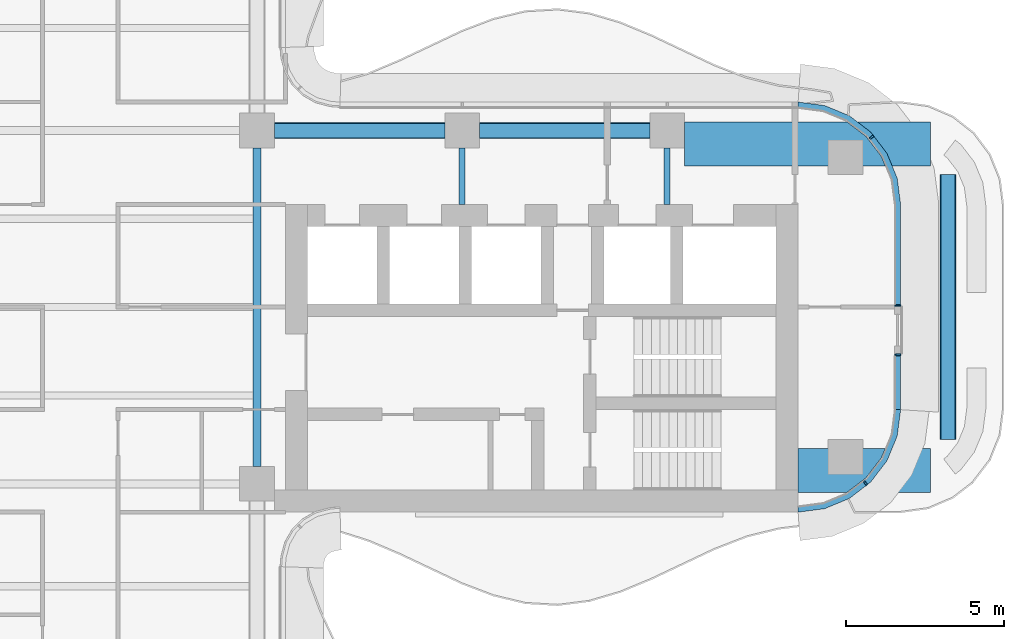
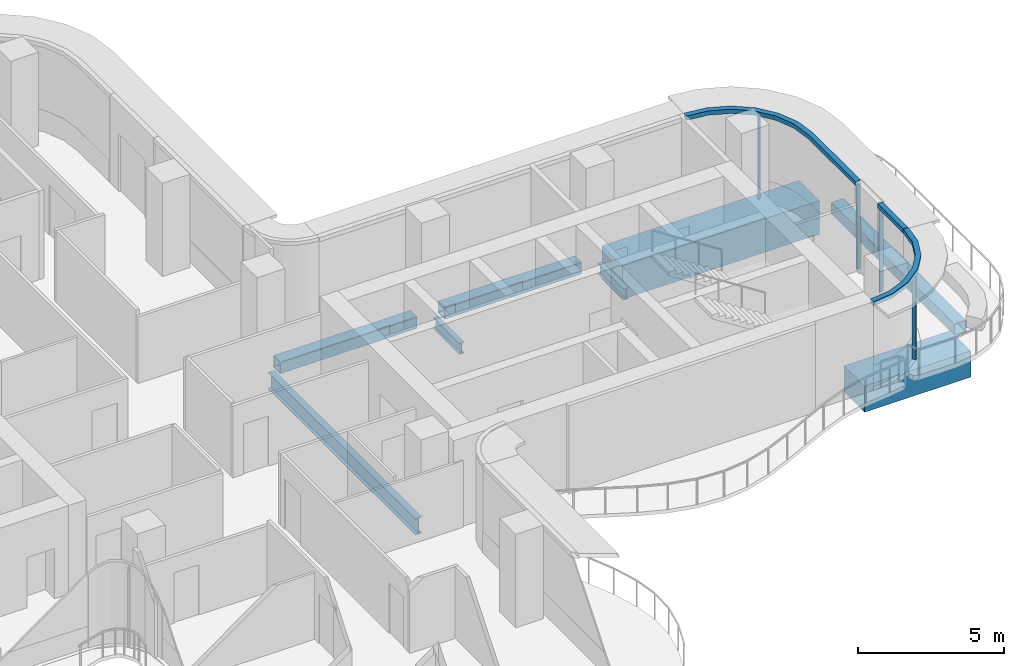
# One storey, part 6 of 17: 8 beams, 7 members, 3 elements without a shape of their own.
"""IFC4 building model written with IfcOpenShell, lengths in metres."""

from ifc_helpers import new_model, si_unit, direction, frame, origin, origin_2d, place, context, subcontext, project, spatial, polyline, rectangle, hollow_rectangle, i_section, outline, extrude, source, transform, mapped, material, layer, layer_set, material_profile, profile_set, type_object, element, aggregate, save


model = new_model("IFC4")

# Units and contexts
model_context = context("Model", 3, precision=1e-05, world=origin(), true_north=direction((0.0, 1.0)))
body_context = subcontext(model_context, "Body", "Model", "MODEL_VIEW")
ifc_project = project(units=[si_unit("LENGTHUNIT", "METRE"), si_unit("AREAUNIT", "SQUARE_METRE"), si_unit("VOLUMEUNIT", "CUBIC_METRE"), si_unit("PLANEANGLEUNIT", "RADIAN"), si_unit("MASSUNIT", "GRAM", prefix="KILO")], contexts=[model_context])

# Site, building, storey
site_placement = place(None, origin())
site = spatial("IfcSite", under=ifc_project, at=site_placement, CompositionType="ELEMENT")
building_placement = place(site_placement, origin())
building = spatial("IfcBuilding", under=site, at=building_placement, Name="Trellis Farm Tower", CompositionType="ELEMENT")
storey_placement = place(building_placement, frame((0.0, 0.0, 220.699951171875)))
storey = spatial("IfcBuildingStorey", under=building, at=storey_placement, Name="L48", CompositionType="ELEMENT", Elevation=220.699951171875)

# Curtain wall, member
ifc_material_1 = material(Name="Aluminium and glass curtain wall", Category="aluminium")
ifc_layer_1 = layer(ifc_material_1, 0.18994140625)
ifc_layer_set_1 = layer_set([ifc_layer_1], Name="RIBBON CURTAIN WALL CW1")
curtain_wall_type = type_object("IfcCurtainWallType", Name="RIBBON CURTAIN WALL CW1", PredefinedType="NOTDEFINED", material=ifc_layer_set_1)
placement_1 = place(storey_placement, origin())
curtain_wall_1 = element("IfcCurtainWall", 1, at=placement_1, inside=storey, type_object=curtain_wall_type, Name="CW1 006", PredefinedType="NOTDEFINED")
ifc_material_2 = material(Name="Aluminium extrusion 6063-T6", Category="aluminium")
ifc_layer_2 = layer(ifc_material_2, 0.199951171875)
ifc_layer_set_2 = layer_set([ifc_layer_2], Name="Aluminium extrusion 6063-T6")
member_type_1 = type_object("IfcMemberType", Name="CW1 TRANSOM 200x180", PredefinedType="USERDEFINED", material=ifc_layer_set_2)
placement_2 = place(storey_placement, frame((0.0, 0.0, 3.52001953125)))
member_1 = element("IfcMember", 2, at=placement_2, type_object=member_type_1, Name="TR1 006", ObjectType="TRANSOM", PredefinedType="USERDEFINED", context=body_context, shape_type="SweptSolid", body=[
    extrude(outline(polyline([(26.0, -3.25), (26.0, -1.47998046875), (25.800048828125, -1.47998046875), (25.800048828125, -3.23681640625), (26.0, -3.25)])), origin(), (0.0, 0.0, 1.0), 0.179931640625),
])

curtain_wall_2 = element("IfcCurtainWall", 3, at=placement_1, inside=storey, type_object=curtain_wall_type, Name="CW1 007", PredefinedType="NOTDEFINED")
member_2 = element("IfcMember", 4, at=placement_2, type_object=member_type_1, Name="TR1 007", ObjectType="TRANSOM", PredefinedType="USERDEFINED", context=body_context, shape_type="SweptSolid", body=[
    extrude(outline(polyline([(26.0, 0.02001953125), (26.0, 3.25), (25.88916015625, 4.091064453125), (25.564697265625, 4.875), (25.048095703125, 5.548095703125), (24.375, 6.064697265625), (23.591064453125, 6.38916015625), (22.75, 6.5), (22.73681640625, 6.300048828125), (23.5390625, 6.1943359375), (24.274169921875, 5.889892578125), (24.905517578125, 5.405517578125), (25.389892578125, 4.774169921875), (25.6943359375, 4.0390625), (25.800048828125, 3.23681640625), (25.800048828125, 0.02001953125), (26.0, 0.02001953125)])), origin(), (0.0, 0.0, 1.0), 0.179931640625),
])

# Beams
ifc_material_3 = material(Name="Concrete C80/95", Category="concrete")
ifc_material_profile_1 = material_profile(ifc_material_3, rectangle(XDim=1.39990234375, YDim=1.10009765625, at=origin_2d()), Name="RC transfer beam 1400x1100 C80/95")
ifc_profile_set_1 = profile_set([ifc_material_profile_1], Name="Concrete C80/95")
beam_type_1 = type_object("IfcBeamType", Name="RC transfer beam 1400x1100 C80/95", PredefinedType="BEAM", material=ifc_profile_set_1)
beam_1_placement = place(storey_placement, frame((22.75, -5.175048828125, -0.75), z_axis=(1.0, 0.0, 0.0), x_axis=(0.0, 1.0, 0.0)))
element("IfcBeam", 5, at=beam_1_placement, inside=storey, type_object=beam_type_1, Name="Transfer girder", PredefinedType="BEAM", context=body_context, shape_type="SweptSolid", body=[
    extrude(rectangle(XDim=1.39990234375, YDim=1.10009765625, at=origin_2d()), origin(), (0.0, 0.0, 1.0), 4.199951171875),
])
ifc_material_profile_2 = material_profile(ifc_material_3, rectangle(XDim=1.39990234375, YDim=1.39990234375, at=origin_2d()), Name="RC transfer beam 1400x1400 C80/95")
ifc_profile_set_2 = profile_set([ifc_material_profile_2], Name="Concrete C80/95")
beam_type_2 = type_object("IfcBeamType", Name="RC transfer beam 1400x1400 C80/95", PredefinedType="BEAM", material=ifc_profile_set_2)
beam_2_placement = place(storey_placement, frame((19.14990234375, 5.175048828125, -0.89990234375), z_axis=(1.0, 0.0, 0.0), x_axis=(0.0, 1.0, 0.0)))
element("IfcBeam", 6, at=beam_2_placement, inside=storey, type_object=beam_type_2, Name="Transfer girder", PredefinedType="BEAM", context=body_context, shape_type="SweptSolid", body=[
    extrude(rectangle(XDim=1.39990234375, YDim=1.39990234375, at=origin_2d()), origin(), (0.0, 0.0, 1.0), 7.800048828125),
])
ifc_material_4 = material(Name="Steel S355", Category="steel")
ifc_material_profile_3 = material_profile(ifc_material_4, hollow_rectangle(XDim=0.5, YDim=0.5, WallThickness=0.030029296875, InnerFilletRadius=0.030029296875, OuterFilletRadius=0.044921875, at=origin_2d()), Name="SHS 500x500x30")
ifc_profile_set_3 = profile_set([ifc_material_profile_3], Name="Steel S355")
beam_type_3 = type_object("IfcBeamType", Name="SHS 500x500x30", PredefinedType="BEAM", material=ifc_profile_set_3)
shared_shape_1 = source(origin(), body_context, "Body", "SweptSolid", [
    extrude(hollow_rectangle(XDim=0.5, YDim=0.5, WallThickness=0.030029296875, InnerFilletRadius=0.030029296875, OuterFilletRadius=0.044921875, at=origin_2d()), origin(), (0.0, 0.0, 1.0), 5.400146484375),
])
for number, where, z_axis, x_axis, name in (
    (7, (6.14990234375, 5.60009765625, -0.449951171875), (1.0, 0.0, 0.0), (0.0, 1.0, 0.0), "Girder"),
    (8, (12.64990234375, 5.60009765625, -0.449951171875), (1.0, 0.0, 0.0), (0.0, 1.0, 0.0), "Girder"),
):
    element("IfcBeam", number, at=place(storey_placement, frame(where, z_axis=z_axis, x_axis=x_axis)), inside=storey, type_object=beam_type_3, Name=name, PredefinedType="BEAM", context=body_context, shape_type="MappedRepresentation", body=[
        mapped(shared_shape_1, transform((0.0, 0.0, 0.0))),
    ])
ifc_material_profile_4 = material_profile(ifc_material_4, i_section(OverallWidth=0.253662109375, OverallDepth=0.68359375, WebThickness=0.012451171875, FlangeThickness=0.021728515625, FilletRadius=0.01513671875, at=origin_2d()), Name="UB 686x254x140")
ifc_profile_set_4 = profile_set([ifc_material_profile_4], Name="Steel S355")
beam_type_4 = type_object("IfcBeamType", Name="UB 686x254x140", PredefinedType="BEAM", material=ifc_profile_set_4)
shared_shape_2 = source(origin(), body_context, "Body", "SweptSolid", [
    extrude(i_section(OverallWidth=0.253662109375, OverallDepth=0.68359375, WebThickness=0.012451171875, FlangeThickness=0.021728515625, FilletRadius=0.01513671875, at=origin_2d()), origin(), (0.0, 0.0, 1.0), 10.10009765625),
])
beam_3_placement = place(storey_placement, frame((5.60009765625, -5.050048828125, -0.541748046875), z_axis=(0.0, 1.0, 0.0), x_axis=(-1.0, 0.0, 0.0)))
element("IfcBeam", 9, at=beam_3_placement, inside=storey, type_object=beam_type_4, Name="Girder", PredefinedType="BEAM", context=body_context, shape_type="MappedRepresentation", body=[
    mapped(shared_shape_2, transform((0.0, 0.0, 0.0))),
])
shared_shape_3 = source(origin(), body_context, "Body", "SweptSolid", [
    extrude(hollow_rectangle(XDim=0.5, YDim=0.5, WallThickness=0.030029296875, InnerFilletRadius=0.030029296875, OuterFilletRadius=0.044921875, at=origin_2d()), origin(), (0.0, 0.0, 1.0), 8.39990234375),
])
beam_4_placement = place(storey_placement, frame((27.5, -4.199951171875, -0.449951171875), z_axis=(0.0, 1.0, 0.0), x_axis=(-1.0, 0.0, 0.0)))
element("IfcBeam", 10, at=beam_4_placement, inside=storey, type_object=beam_type_3, Name="Girder", PredefinedType="BEAM", context=body_context, shape_type="MappedRepresentation", body=[
    mapped(shared_shape_3, transform((0.0, 0.0, 0.0))),
])
ifc_material_profile_5 = material_profile(ifc_material_4, i_section(OverallWidth=0.1904296875, OverallDepth=0.45703125, WebThickness=0.009033203125, FlangeThickness=0.014404296875, FilletRadius=0.01025390625, at=origin_2d()), Name="UB 457x191x74")
ifc_profile_set_5 = profile_set([ifc_material_profile_5], Name="Steel S355")
beam_type_5 = type_object("IfcBeamType", Name="UB 457x191x74", PredefinedType="BEAM", material=ifc_profile_set_5)
shared_shape_4 = source(origin(), body_context, "Body", "SweptSolid", [
    extrude(i_section(OverallWidth=0.1904296875, OverallDepth=0.45703125, WebThickness=0.009033203125, FlangeThickness=0.014404296875, FilletRadius=0.01025390625, at=origin_2d()), origin(), (0.0, 0.0, 1.0), 1.800048828125),
])
for number, where, z_axis, x_axis, name in (
    (11, (12.10009765625, 3.25, -0.428466796875), (0.0, 1.0, 0.0), (-1.0, 0.0, 0.0), "Girder"),
    (12, (18.60009765625, 3.25, -0.428466796875), (0.0, 1.0, 0.0), (-1.0, 0.0, 0.0), "Girder"),
):
    element("IfcBeam", number, at=place(storey_placement, frame(where, z_axis=z_axis, x_axis=x_axis)), inside=storey, type_object=beam_type_5, Name=name, PredefinedType="BEAM", context=body_context, shape_type="MappedRepresentation", body=[
        mapped(shared_shape_4, transform((0.0, 0.0, 0.0))),
    ])

# Curtain wall, member
curtain_wall_3 = element("IfcCurtainWall", 13, at=placement_1, inside=storey, type_object=curtain_wall_type, Name="CW1 005", PredefinedType="NOTDEFINED")
ifc_material_profile_6 = material_profile(ifc_material_2, rectangle(XDim=0.06005859375, YDim=0.14990234375, at=origin_2d()), Name="MULLION 60x150")
ifc_profile_set_6 = profile_set([ifc_material_profile_6], Name="Aluminium extrusion 6063-T6")
member_type_2 = type_object("IfcMemberType", Name="CW1 MULLION 60x150", PredefinedType="MULLION", material=ifc_profile_set_6)
shared_shape_5 = source(origin(), body_context, "Body", "SweptSolid", [
    extrude(rectangle(XDim=0.06005859375, YDim=0.14990234375, at=origin_2d()), origin(), (0.0, 0.0, 1.0), 3.52001953125),
])
member_3_placement = place(storey_placement, frame((24.885498046875, -5.578369140625, 0.0), z_axis=(0.0, 0.0, 1.0), x_axis=(0.793353340291, 0.608761429009, 0.0)))
member_3 = element("IfcMember", 14, at=member_3_placement, type_object=member_type_2, Name="MU1 005-01", PredefinedType="MULLION", context=body_context, shape_type="MappedRepresentation", body=[
    mapped(shared_shape_5, transform((0.0, 0.0, 0.0))),
])

# Member
member_4_placement = place(storey_placement, frame((25.925048828125, -1.510009765625, 0.0), z_axis=(0.0, 0.0, 1.0), x_axis=(0.0, 1.0, 0.0)))
member_4 = element("IfcMember", 15, at=member_4_placement, type_object=member_type_2, Name="MU1 006-01", PredefinedType="MULLION", context=body_context, shape_type="MappedRepresentation", body=[
    mapped(shared_shape_5, transform((0.0, 0.0, 0.0))),
])

aggregate(curtain_wall_1, [member_4, member_1])

member_5_placement = place(storey_placement, frame((25.925048828125, 0.050048828125, 0.0), z_axis=(0.0, 0.0, 1.0), x_axis=(0.0, 1.0, 0.0)))
member_5 = element("IfcMember", 16, at=member_5_placement, type_object=member_type_2, Name="MU1 007-01", PredefinedType="MULLION", context=body_context, shape_type="MappedRepresentation", body=[
    mapped(shared_shape_5, transform((0.0, 0.0, 0.0))),
])

member_6_placement = place(storey_placement, frame((25.078369140625, 5.385498046875, 0.0), z_axis=(0.0, 0.0, 1.0), x_axis=(-0.608761429009, 0.793353340291, 0.0)))
member_6 = element("IfcMember", 17, at=member_6_placement, type_object=member_type_2, Name="MU1 007-02", PredefinedType="MULLION", context=body_context, shape_type="MappedRepresentation", body=[
    mapped(shared_shape_5, transform((0.0, 0.0, 0.0))),
])

aggregate(curtain_wall_2, [member_5, member_6, member_2])

shared_shape_6 = source(origin(), body_context, "Body", "SweptSolid", [
    extrude(outline(polyline([(22.75, -6.5), (23.591064453125, -6.38916015625), (24.375, -6.064697265625), (25.048095703125, -5.548095703125), (25.564697265625, -4.875), (25.88916015625, -4.091064453125), (26.0, -3.25), (25.800048828125, -3.23681640625), (25.6943359375, -4.0390625), (25.389892578125, -4.774169921875), (24.905517578125, -5.405517578125), (24.274169921875, -5.889892578125), (23.5390625, -6.1943359375), (22.73681640625, -6.300048828125), (22.75, -6.5)])), origin(), (0.0, 0.0, 1.0), 0.179931640625),
])
member_7 = element("IfcMember", 18, at=placement_2, type_object=member_type_1, Name="TR1 005", ObjectType="TRANSOM", PredefinedType="USERDEFINED", context=body_context, shape_type="MappedRepresentation", body=[
    mapped(shared_shape_6, transform((0.0, 0.0, 0.0))),
])

aggregate(curtain_wall_3, [member_3, member_7])

save(model, "model.ifc")
